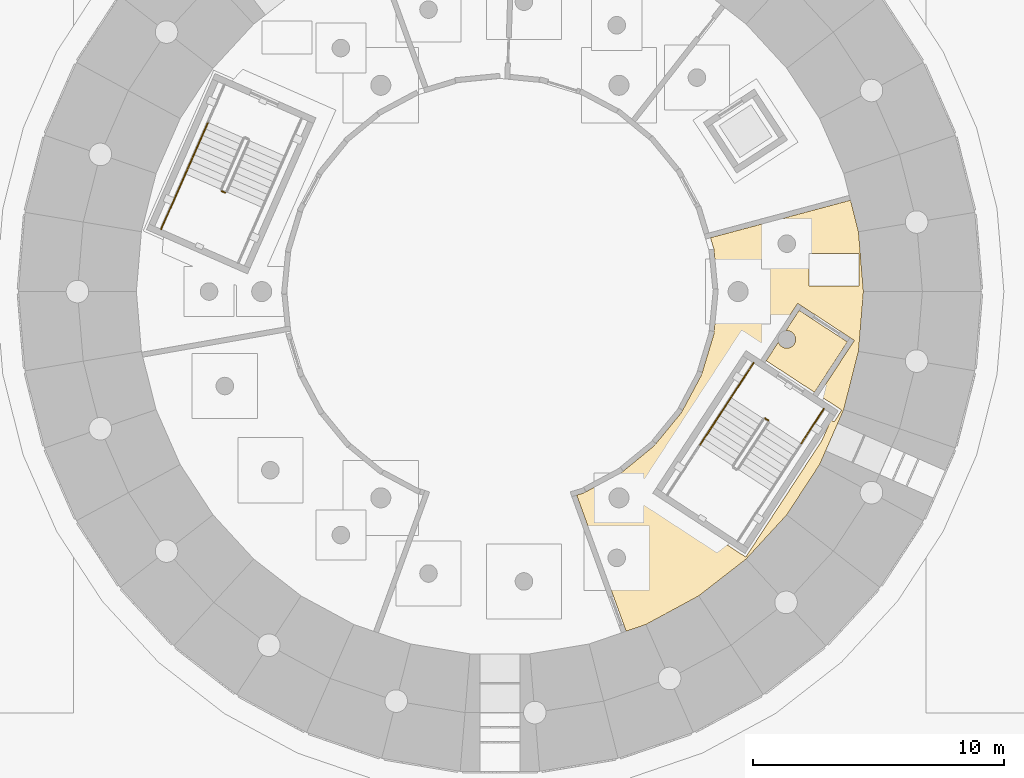
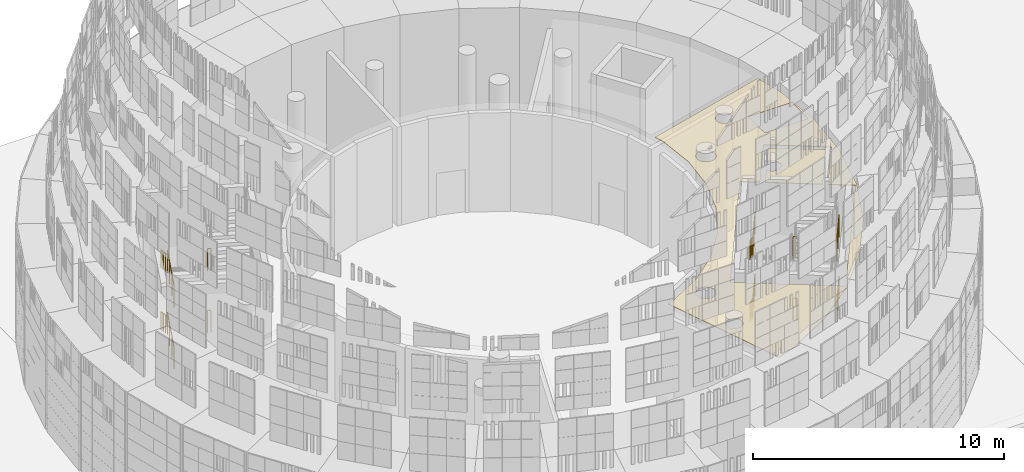
# One storey, part 120 of 125: 14 railings, 2 coverings.
"""IFC4 building model written with IfcOpenShell, lengths in metres."""

from ifc_helpers import new_model, si_unit, direction, frame, origin, origin_2d, place, context, subcontext, project, spatial, polyline, circle, outline, extrude, material, layer, layer_set, type_object, element, save


model = new_model("IFC4")

# Units and contexts
model_context = context("Model", 3, precision=1e-05, world=origin(), true_north=direction((0.0, 1.0)))
body_context = subcontext(model_context, "Body", "Model", "MODEL_VIEW")
ifc_project = project(units=[si_unit("LENGTHUNIT", "METRE"), si_unit("AREAUNIT", "SQUARE_METRE"), si_unit("VOLUMEUNIT", "CUBIC_METRE"), si_unit("PLANEANGLEUNIT", "RADIAN"), si_unit("MASSUNIT", "GRAM", prefix="KILO")], contexts=[model_context])

# Site, building, storey
site_placement = place(None, origin())
site = spatial("IfcSite", under=ifc_project, at=site_placement, CompositionType="ELEMENT")
building_placement = place(site_placement, origin())
building = spatial("IfcBuilding", under=site, at=building_placement, Name="Sun Court Science Centre", CompositionType="ELEMENT")
storey_placement = place(building_placement, origin())
storey = spatial("IfcBuildingStorey", under=building, at=storey_placement, Name="L00", CompositionType="ELEMENT", Elevation=0.0)

# Coverings
ifc_material_1 = material(Name="Perforated steel", Category="steel")
ifc_layer_1 = layer(ifc_material_1, 0.030029296875)
ifc_layer_set_1 = layer_set([ifc_layer_1], Name="Perforated steel")
covering_type_1 = type_object("IfcCoveringType", Name="Ceiling acoustic perforated", PredefinedType="CEILING", material=ifc_layer_set_1)
covering_1_placement = place(storey_placement, frame((0.0, 0.0, 5.27001953125)))
element("IfcCovering", 1, at=covering_1_placement, inside=storey, type_object=covering_type_1, Name="L00-083 ceiling", PredefinedType="CEILING", context=body_context, shape_type="SweptSolid", body=[
    extrude(outline(polyline([(60.8193359375, 86.13330078125), (58.9296875, 84.66259765625), (56.823974609375, 83.52294921875), (56.037109375, 83.252685546875), (54.061767578125, 88.680419921875), (54.32958984375, 88.76171875), (55.833740234375, 89.56591796875), (57.152099609375, 90.647705078125), (58.234130859375, 91.96630859375), (59.0380859375, 93.470458984375), (59.533203125, 95.1025390625), (59.700439453125, 96.800048828125), (59.533203125, 98.497314453125), (59.397216796875, 98.946533203125), (64.982421875, 100.443115234375), (65.300537109375, 99.186279296875), (65.498291015625, 96.800048828125), (65.300537109375, 94.413818359375), (64.712646484375, 92.09228515625), (63.7509765625, 89.899658203125), (62.441162109375, 87.89501953125), (60.8193359375, 86.13330078125)]), holes=[polyline([(63.33154296875, 98.3203125), (63.33154296875, 97.020263671875), (65.33154296875, 97.020263671875), (65.33154296875, 98.3203125), (63.33154296875, 98.3203125)]), polyline([(62.87548828125, 96.327880859375), (61.453369140625, 94.151123046875), (60.78369140625, 94.5888671875), (56.955078125, 88.728515625), (60.805908203125, 86.212646484375), (63.84912109375, 90.87060546875), (64.197998046875, 91.666015625), (64.330810546875, 91.607666015625), (64.634521484375, 92.07275390625), (63.7138671875, 92.674560546875), (65.1357421875, 94.85107421875), (62.87548828125, 96.327880859375)]), polyline([(62.791748046875, 98.709228515625), (62.791015625, 98.732177734375), (62.788818359375, 98.7548828125), (62.78515625, 98.777587890625), (62.77978515625, 98.7998046875), (62.773193359375, 98.82177734375), (62.76513671875, 98.84326171875), (62.755615234375, 98.864013671875), (62.744873046875, 98.88427734375), (62.73291015625, 98.90380859375), (62.719482421875, 98.92236328125), (62.704833984375, 98.940185546875), (62.689208984375, 98.956787109375), (62.672607421875, 98.972412109375), (62.65478515625, 98.987060546875), (62.63623046875, 99.000244140625), (62.61669921875, 99.012451171875), (62.5966796875, 99.023193359375), (62.57568359375, 99.03271484375), (62.55419921875, 99.040771484375), (62.532470703125, 99.04736328125), (62.510009765625, 99.052490234375), (62.487548828125, 99.056396484375), (62.464599609375, 99.05859375), (62.44189453125, 99.059326171875), (62.4189453125, 99.05859375), (62.39599609375, 99.056396484375), (62.37353515625, 99.052490234375), (62.351318359375, 99.04736328125), (62.329345703125, 99.040771484375), (62.307861328125, 99.03271484375), (62.287109375, 99.023193359375), (62.266845703125, 99.012451171875), (62.247314453125, 99.000244140625), (62.228759765625, 98.987060546875), (62.2109375, 98.972412109375), (62.1943359375, 98.956787109375), (62.1787109375, 98.940185546875), (62.1640625, 98.92236328125), (62.15087890625, 98.90380859375), (62.138671875, 98.88427734375), (62.1279296875, 98.864013671875), (62.118408203125, 98.84326171875), (62.1103515625, 98.82177734375), (62.103759765625, 98.7998046875), (62.098388671875, 98.777587890625), (62.0947265625, 98.7548828125), (62.092529296875, 98.732177734375), (62.091796875, 98.709228515625), (62.092529296875, 98.686279296875), (62.0947265625, 98.66357421875), (62.098388671875, 98.64111328125), (62.103759765625, 98.61865234375), (62.1103515625, 98.5966796875), (62.118408203125, 98.575439453125), (62.1279296875, 98.554443359375), (62.138671875, 98.5341796875), (62.15087890625, 98.514892578125), (62.1640625, 98.49609375), (62.1787109375, 98.478515625), (62.1943359375, 98.4619140625), (62.2109375, 98.4462890625), (62.228759765625, 98.431640625), (62.247314453125, 98.418212890625), (62.266845703125, 98.40625), (62.287109375, 98.3955078125), (62.307861328125, 98.385986328125), (62.329345703125, 98.3779296875), (62.351318359375, 98.37109375), (62.37353515625, 98.365966796875), (62.39599609375, 98.3623046875), (62.4189453125, 98.360107421875), (62.44189453125, 98.359375), (62.464599609375, 98.360107421875), (62.487548828125, 98.3623046875), (62.510009765625, 98.365966796875), (62.532470703125, 98.37109375), (62.55419921875, 98.3779296875), (62.57568359375, 98.385986328125), (62.5966796875, 98.3955078125), (62.61669921875, 98.40625), (62.63623046875, 98.418212890625), (62.65478515625, 98.431640625), (62.672607421875, 98.4462890625), (62.689208984375, 98.4619140625), (62.704833984375, 98.478515625), (62.719482421875, 98.49609375), (62.73291015625, 98.514892578125), (62.744873046875, 98.5341796875), (62.755615234375, 98.554443359375), (62.76513671875, 98.575439453125), (62.773193359375, 98.5966796875), (62.77978515625, 98.61865234375), (62.78515625, 98.64111328125), (62.788818359375, 98.66357421875), (62.791015625, 98.686279296875), (62.791748046875, 98.709228515625)]), polyline([(60.896484375, 96.747802734375), (60.899169921875, 96.773681640625), (60.89990234375, 96.800048828125), (60.899169921875, 96.826171875), (60.896484375, 96.852294921875), (60.892333984375, 96.8779296875), (60.886474609375, 96.903564453125), (60.87890625, 96.9287109375), (60.86962890625, 96.953125), (60.858642578125, 96.976806640625), (60.846435546875, 97.0), (60.83251953125, 97.022216796875), (60.8173828125, 97.04345703125), (60.80078125, 97.063720703125), (60.78271484375, 97.082763671875), (60.763671875, 97.1005859375), (60.743408203125, 97.1171875), (60.72216796875, 97.132568359375), (60.699951171875, 97.146484375), (60.677001953125, 97.15869140625), (60.653076171875, 97.169677734375), (60.628662109375, 97.1787109375), (60.603515625, 97.186279296875), (60.577880859375, 97.1923828125), (60.55224609375, 97.196533203125), (60.526123046875, 97.19921875), (60.5, 97.199951171875), (60.473876953125, 97.19921875), (60.44775390625, 97.196533203125), (60.422119140625, 97.1923828125), (60.396484375, 97.186279296875), (60.371337890625, 97.1787109375), (60.346923828125, 97.169677734375), (60.322998046875, 97.15869140625), (60.300048828125, 97.146484375), (60.27783203125, 97.132568359375), (60.256591796875, 97.1171875), (60.236328125, 97.1005859375), (60.21728515625, 97.082763671875), (60.19921875, 97.063720703125), (60.1826171875, 97.04345703125), (60.16748046875, 97.022216796875), (60.153564453125, 97.0), (60.141357421875, 96.976806640625), (60.13037109375, 96.953125), (60.12109375, 96.9287109375), (60.113525390625, 96.903564453125), (60.107666015625, 96.8779296875), (60.103515625, 96.852294921875), (60.100830078125, 96.826171875), (60.10009765625, 96.800048828125), (60.100830078125, 96.773681640625), (60.103515625, 96.747802734375), (60.107666015625, 96.721923828125), (60.113525390625, 96.696533203125), (60.12109375, 96.67138671875), (60.13037109375, 96.64697265625), (60.141357421875, 96.623046875), (60.153564453125, 96.60009765625), (60.16748046875, 96.577880859375), (60.1826171875, 96.556396484375), (60.19921875, 96.536376953125), (60.21728515625, 96.51708984375), (60.236328125, 96.499267578125), (60.256591796875, 96.482666015625), (60.27783203125, 96.46728515625), (60.300048828125, 96.45361328125), (60.322998046875, 96.44140625), (60.346923828125, 96.430419921875), (60.371337890625, 96.421142578125), (60.396484375, 96.41357421875), (60.422119140625, 96.40771484375), (60.44775390625, 96.4033203125), (60.473876953125, 96.40087890625), (60.5, 96.39990234375), (60.526123046875, 96.40087890625), (60.55224609375, 96.4033203125), (60.577880859375, 96.40771484375), (60.603515625, 96.41357421875), (60.628662109375, 96.421142578125), (60.653076171875, 96.430419921875), (60.677001953125, 96.44140625), (60.699951171875, 96.45361328125), (60.72216796875, 96.46728515625), (60.743408203125, 96.482666015625), (60.763671875, 96.499267578125), (60.78271484375, 96.51708984375), (60.80078125, 96.536376953125), (60.8173828125, 96.556396484375), (60.83251953125, 96.577880859375), (60.846435546875, 96.60009765625), (60.858642578125, 96.623046875), (60.86962890625, 96.64697265625), (60.87890625, 96.67138671875), (60.886474609375, 96.696533203125), (60.892333984375, 96.721923828125), (60.896484375, 96.747802734375)]), polyline([(56.146484375, 88.5205078125), (56.149169921875, 88.546630859375), (56.14990234375, 88.57275390625), (56.149169921875, 88.598876953125), (56.146484375, 88.625), (56.142333984375, 88.65087890625), (56.136474609375, 88.67626953125), (56.12890625, 88.701416015625), (56.11962890625, 88.725830078125), (56.108642578125, 88.749755859375), (56.096435546875, 88.772705078125), (56.08251953125, 88.794921875), (56.0673828125, 88.81640625), (56.05078125, 88.83642578125), (56.03271484375, 88.855712890625), (56.013671875, 88.87353515625), (55.993408203125, 88.89013671875), (55.97216796875, 88.9052734375), (55.949951171875, 88.919189453125), (55.927001953125, 88.931396484375), (55.903076171875, 88.9423828125), (55.878662109375, 88.951416015625), (55.853515625, 88.958984375), (55.827880859375, 88.965087890625), (55.80224609375, 88.96923828125), (55.776123046875, 88.971923828125), (55.75, 88.972900390625), (55.723876953125, 88.971923828125), (55.69775390625, 88.96923828125), (55.672119140625, 88.965087890625), (55.646484375, 88.958984375), (55.621337890625, 88.951416015625), (55.596923828125, 88.9423828125), (55.572998046875, 88.931396484375), (55.550048828125, 88.919189453125), (55.52783203125, 88.9052734375), (55.506591796875, 88.89013671875), (55.486328125, 88.87353515625), (55.46728515625, 88.855712890625), (55.44921875, 88.83642578125), (55.4326171875, 88.81640625), (55.41748046875, 88.794921875), (55.403564453125, 88.772705078125), (55.391357421875, 88.749755859375), (55.38037109375, 88.725830078125), (55.37109375, 88.701416015625), (55.363525390625, 88.67626953125), (55.357666015625, 88.65087890625), (55.353515625, 88.625), (55.350830078125, 88.598876953125), (55.35009765625, 88.57275390625), (55.350830078125, 88.546630859375), (55.353515625, 88.5205078125), (55.357666015625, 88.49462890625), (55.363525390625, 88.46923828125), (55.37109375, 88.444091796875), (55.38037109375, 88.419677734375), (55.391357421875, 88.395751953125), (55.403564453125, 88.372802734375), (55.41748046875, 88.3505859375), (55.4326171875, 88.329345703125), (55.44921875, 88.30908203125), (55.46728515625, 88.289794921875), (55.486328125, 88.27197265625), (55.506591796875, 88.25537109375), (55.52783203125, 88.240234375), (55.550048828125, 88.226318359375), (55.572998046875, 88.214111328125), (55.596923828125, 88.203125), (55.621337890625, 88.194091796875), (55.646484375, 88.186279296875), (55.672119140625, 88.180419921875), (55.69775390625, 88.17626953125), (55.723876953125, 88.173583984375), (55.75, 88.1728515625), (55.776123046875, 88.173583984375), (55.80224609375, 88.17626953125), (55.827880859375, 88.180419921875), (55.853515625, 88.186279296875), (55.878662109375, 88.194091796875), (55.903076171875, 88.203125), (55.927001953125, 88.214111328125), (55.949951171875, 88.226318359375), (55.97216796875, 88.240234375), (55.993408203125, 88.25537109375), (56.013671875, 88.27197265625), (56.03271484375, 88.289794921875), (56.05078125, 88.30908203125), (56.0673828125, 88.329345703125), (56.08251953125, 88.3505859375), (56.096435546875, 88.372802734375), (56.108642578125, 88.395751953125), (56.11962890625, 88.419677734375), (56.12890625, 88.444091796875), (56.136474609375, 88.46923828125), (56.142333984375, 88.49462890625), (56.146484375, 88.5205078125)]), polyline([(55.997802734375, 86.08642578125), (56.0029296875, 86.108642578125), (56.006591796875, 86.13134765625), (56.0087890625, 86.154052734375), (56.009765625, 86.177001953125), (56.0087890625, 86.199951171875), (56.006591796875, 86.22265625), (56.0029296875, 86.245361328125), (55.997802734375, 86.267578125), (55.9912109375, 86.28955078125), (55.98291015625, 86.31103515625), (55.9736328125, 86.331787109375), (55.962890625, 86.35205078125), (55.95068359375, 86.37158203125), (55.937255859375, 86.39013671875), (55.9228515625, 86.40771484375), (55.9072265625, 86.424560546875), (55.890380859375, 86.440185546875), (55.872802734375, 86.45458984375), (55.85400390625, 86.468017578125), (55.834716796875, 86.47998046875), (55.814453125, 86.490966796875), (55.793701171875, 86.50048828125), (55.772216796875, 86.508544921875), (55.750244140625, 86.51513671875), (55.727783203125, 86.520263671875), (55.705322265625, 86.52392578125), (55.6826171875, 86.5263671875), (55.65966796875, 86.527099609375), (55.63671875, 86.5263671875), (55.614013671875, 86.52392578125), (55.59130859375, 86.520263671875), (55.569091796875, 86.51513671875), (55.547119140625, 86.508544921875), (55.525634765625, 86.50048828125), (55.5048828125, 86.490966796875), (55.484619140625, 86.47998046875), (55.465087890625, 86.468017578125), (55.446533203125, 86.45458984375), (55.428955078125, 86.440185546875), (55.412109375, 86.424560546875), (55.396484375, 86.40771484375), (55.382080078125, 86.39013671875), (55.36865234375, 86.37158203125), (55.356689453125, 86.35205078125), (55.345703125, 86.331787109375), (55.336181640625, 86.31103515625), (55.328125, 86.28955078125), (55.321533203125, 86.267578125), (55.31640625, 86.245361328125), (55.312744140625, 86.22265625), (55.310302734375, 86.199951171875), (55.309814453125, 86.177001953125), (55.310302734375, 86.154052734375), (55.312744140625, 86.13134765625), (55.31640625, 86.108642578125), (55.321533203125, 86.08642578125), (55.328125, 86.064453125), (55.336181640625, 86.043212890625), (55.345703125, 86.022216796875), (55.356689453125, 86.001953125), (55.36865234375, 85.982666015625), (55.382080078125, 85.964111328125), (55.396484375, 85.9462890625), (55.412109375, 85.929443359375), (55.428955078125, 85.913818359375), (55.446533203125, 85.8994140625), (55.465087890625, 85.885986328125), (55.484619140625, 85.873779296875), (55.5048828125, 85.863037109375), (55.525634765625, 85.853759765625), (55.547119140625, 85.845703125), (55.569091796875, 85.839111328125), (55.59130859375, 85.833740234375), (55.614013671875, 85.830078125), (55.63671875, 85.827880859375), (55.65966796875, 85.826904296875), (55.6826171875, 85.827880859375), (55.705322265625, 85.830078125), (55.727783203125, 85.833740234375), (55.750244140625, 85.839111328125), (55.772216796875, 85.845703125), (55.793701171875, 85.853759765625), (55.814453125, 85.863037109375), (55.834716796875, 85.873779296875), (55.85400390625, 85.885986328125), (55.872802734375, 85.8994140625), (55.890380859375, 85.913818359375), (55.9072265625, 85.929443359375), (55.9228515625, 85.9462890625), (55.937255859375, 85.964111328125), (55.95068359375, 85.982666015625), (55.962890625, 86.001953125), (55.9736328125, 86.022216796875), (55.98291015625, 86.043212890625), (55.9912109375, 86.064453125), (55.997802734375, 86.08642578125)])]), origin(), (0.0, 0.0, 1.0), 0.030029296875),
])
ifc_material_2 = material(Name="Gypsum board")
ifc_layer_2 = layer(ifc_material_2, 0.030029296875)
ifc_layer_set_2 = layer_set([ifc_layer_2], Name="Gypsum board")
covering_type_2 = type_object("IfcCoveringType", Name="Ceiling suspended 600 module", PredefinedType="CEILING", material=ifc_layer_set_2)
covering_2_placement = place(storey_placement, frame((0.0, 0.0, 5.27001953125)))
element("IfcCovering", 2, at=covering_2_placement, inside=storey, type_object=covering_type_2, Name="L00-082 ceiling", PredefinedType="CEILING", context=body_context, shape_type="SweptSolid", body=[
    extrude(outline(polyline([(63.54638671875, 92.78369140625), (61.620849609375, 94.041748046875), (62.107666015625, 94.787109375), (62.118408203125, 94.7568359375), (62.1279296875, 94.73583984375), (62.138671875, 94.7158203125), (62.15087890625, 94.6962890625), (62.1640625, 94.677490234375), (62.1787109375, 94.659912109375), (62.1943359375, 94.643310546875), (62.2109375, 94.627685546875), (62.228759765625, 94.613037109375), (62.247314453125, 94.599609375), (62.266845703125, 94.587646484375), (62.287109375, 94.576904296875), (62.307861328125, 94.5673828125), (62.329345703125, 94.559326171875), (62.351318359375, 94.552490234375), (62.37353515625, 94.54736328125), (62.39599609375, 94.543701171875), (62.4189453125, 94.54150390625), (62.44189453125, 94.540771484375), (62.464599609375, 94.54150390625), (62.487548828125, 94.543701171875), (62.510009765625, 94.54736328125), (62.532470703125, 94.552490234375), (62.55419921875, 94.559326171875), (62.57568359375, 94.5673828125), (62.5966796875, 94.576904296875), (62.61669921875, 94.587646484375), (62.63623046875, 94.599609375), (62.65478515625, 94.613037109375), (62.672607421875, 94.627685546875), (62.689208984375, 94.643310546875), (62.704833984375, 94.659912109375), (62.719482421875, 94.677490234375), (62.73291015625, 94.6962890625), (62.744873046875, 94.7158203125), (62.755615234375, 94.73583984375), (62.76513671875, 94.7568359375), (62.773193359375, 94.7783203125), (62.77978515625, 94.800048828125), (62.78515625, 94.822509765625), (62.788818359375, 94.844970703125), (62.791015625, 94.867919921875), (62.791748046875, 94.890625), (62.791015625, 94.91357421875), (62.788818359375, 94.936279296875), (62.78515625, 94.958984375), (62.77978515625, 94.981201171875), (62.773193359375, 95.003173828125), (62.76513671875, 95.024658203125), (62.755615234375, 95.04541015625), (62.744873046875, 95.065673828125), (62.73291015625, 95.085205078125), (62.719482421875, 95.103759765625), (62.704833984375, 95.12158203125), (62.689208984375, 95.13818359375), (62.672607421875, 95.15380859375), (62.65478515625, 95.16845703125), (62.63623046875, 95.181640625), (62.61669921875, 95.19384765625), (62.5966796875, 95.20458984375), (62.57568359375, 95.214111328125), (62.55419921875, 95.22216796875), (62.532470703125, 95.228759765625), (62.510009765625, 95.23388671875), (62.487548828125, 95.23779296875), (62.464599609375, 95.239990234375), (62.44189453125, 95.24072265625), (62.4189453125, 95.239990234375), (62.402587890625, 95.23828125), (62.93359375, 96.051025390625), (64.85888671875, 94.79296875), (63.54638671875, 92.78369140625)])), origin(), (0.0, 0.0, 1.0), 0.030029296875),
])

# Railings
ifc_material_3 = material(Name="Steel S275", Category="steel")
railing_type_1 = type_object("IfcRailingType", Name="Guard 1100 steel balustrade", PredefinedType="GUARDRAIL", material=ifc_material_3)
railing_1_placement = place(storey_placement, frame((61.580810546875, 91.740966796875, 3.0)))
element("IfcRailing", 3, at=railing_1_placement, inside=storey, type_object=railing_type_1, Name="L00 PS1 stair guard 6", PredefinedType="GUARDRAIL", context=body_context, shape_type="SweptSolid", body=[
    extrude(circle(Radius=0.02392578125, at=origin_2d()), frame((0.0, 0.0, 1.076171875), z_axis=(0.837513526863, -0.546416592283, 0.0), x_axis=(0.546416592283, 0.837513526863, 0.0)), (0.0, 0.0, 1.0), 0.150146484375),
    extrude(circle(Radius=0.02099609375, at=origin_2d()), origin(), (0.0, 0.0, 1.0), 1.052001953125),
    extrude(circle(Radius=0.02099609375, at=origin_2d()), frame((0.125732421875, -0.08203125, 0.0)), (0.0, 0.0, 1.0), 1.052001953125),
])
for number, where, name in (
    (4, (61.1171875, 93.952880859375, 3.0), "L00 PS1 stair guard 7"),
    (5, (63.918212890625, 92.122802734375, 3.0), "L00 PS1 stair guard 8"),
):
    element("IfcRailing", number, at=place(storey_placement, frame(where)), inside=storey, type_object=railing_type_1, Name=name, PredefinedType="GUARDRAIL", context=body_context, shape_type="SweptSolid", body=[
        extrude(circle(Radius=0.02392578125, at=origin_2d()), frame((0.0, 0.0, 1.076171875), z_axis=(-0.546949968366, -0.837165295568, 0.0), x_axis=(0.837165295568, -0.546949968366, 0.0)), (0.0, 0.0, 1.0), 1.64794921875),
        extrude(circle(Radius=0.02099609375, at=origin_2d()), origin(), (0.0, 0.0, 1.0), 1.052001953125),
        extrude(circle(Radius=0.02099609375, at=origin_2d()), frame((-0.45068359375, -0.68994140625, 0.0)), (0.0, 0.0, 1.0), 1.052001953125),
        extrude(circle(Radius=0.02099609375, at=origin_2d()), frame((-0.9013671875, -1.379638671875, 0.0)), (0.0, 0.0, 1.0), 1.052001953125),
    ])
railing_2_placement = place(storey_placement, frame((61.580810546875, 91.740966796875, 0.0)))
element("IfcRailing", 6, at=railing_2_placement, inside=storey, type_object=railing_type_1, Name="L00 PS1 stair guard 14", PredefinedType="GUARDRAIL", context=body_context, shape_type="SweptSolid", body=[
    extrude(circle(Radius=0.02392578125, at=origin_2d()), frame((0.0, 0.0, 1.076171875), z_axis=(0.837513526863, -0.546416592283, 0.0), x_axis=(0.546416592283, 0.837513526863, 0.0)), (0.0, 0.0, 1.0), 0.150146484375),
    extrude(circle(Radius=0.02099609375, at=origin_2d()), origin(), (0.0, 0.0, 1.0), 1.052001953125),
    extrude(circle(Radius=0.02099609375, at=origin_2d()), frame((0.125732421875, -0.08203125, 0.0)), (0.0, 0.0, 1.0), 1.052001953125),
])
for number, where, name in (
    (7, (61.1171875, 93.952880859375, 0.0), "L00 PS1 stair guard 15"),
    (8, (63.918212890625, 92.122802734375, 0.0), "L00 PS1 stair guard 16"),
):
    element("IfcRailing", number, at=place(storey_placement, frame(where)), inside=storey, type_object=railing_type_1, Name=name, PredefinedType="GUARDRAIL", context=body_context, shape_type="SweptSolid", body=[
        extrude(circle(Radius=0.02392578125, at=origin_2d()), frame((0.0, 0.0, 1.076171875), z_axis=(-0.546949968366, -0.837165295568, 0.0), x_axis=(0.837165295568, -0.546949968366, 0.0)), (0.0, 0.0, 1.0), 1.64794921875),
        extrude(circle(Radius=0.02099609375, at=origin_2d()), origin(), (0.0, 0.0, 1.0), 1.052001953125),
        extrude(circle(Radius=0.02099609375, at=origin_2d()), frame((-0.45068359375, -0.68994140625, 0.0)), (0.0, 0.0, 1.0), 1.052001953125),
        extrude(circle(Radius=0.02099609375, at=origin_2d()), frame((-0.9013671875, -1.379638671875, 0.0)), (0.0, 0.0, 1.0), 1.052001953125),
    ])
railing_3_placement = place(storey_placement, frame((39.900146484375, 100.808349609375, 1.5)))
element("IfcRailing", 9, at=railing_3_placement, inside=storey, type_object=railing_type_1, Name="L00 PS2 stair guard 2", PredefinedType="GUARDRAIL", context=body_context, shape_type="SweptSolid", body=[
    extrude(circle(Radius=0.02392578125, at=origin_2d()), frame((0.0, 0.0, 1.076171875), z_axis=(0.915746217537, -0.401757221548, 0.0), x_axis=(0.401757221548, 0.915746217537, 0.0)), (0.0, 0.0, 1.0), 0.150146484375),
    extrude(circle(Radius=0.02099609375, at=origin_2d()), origin(), (0.0, 0.0, 1.0), 1.052001953125),
    extrude(circle(Radius=0.02099609375, at=origin_2d()), frame((0.137451171875, -0.060302734375, 0.0)), (0.0, 0.0, 1.0), 1.052001953125),
])
railing_4_placement = place(storey_placement, frame((38.45703125, 101.49609375, 1.5)))
element("IfcRailing", 10, at=railing_4_placement, inside=storey, type_object=railing_type_1, Name="L00 PS2 stair guard 3", PredefinedType="GUARDRAIL", context=body_context, shape_type="SweptSolid", body=[
    extrude(circle(Radius=0.02392578125, at=origin_2d()), frame((0.0, 0.0, 1.076171875), z_axis=(-0.401710637478, -0.915766653541, 0.0), x_axis=(0.915766653541, -0.401710637478, 0.0)), (0.0, 0.0, 1.0), 2.412109375),
    extrude(circle(Radius=0.02099609375, at=origin_2d()), origin(), (0.0, 0.0, 1.0), 1.052001953125),
    extrude(circle(Radius=0.02099609375, at=origin_2d()), frame((-0.322998046875, -0.736328125, 0.0)), (0.0, 0.0, 1.0), 1.052001953125),
    extrude(circle(Radius=0.02099609375, at=origin_2d()), frame((-0.64599609375, -1.47265625, 0.0)), (0.0, 0.0, 1.0), 1.052001953125),
    extrude(circle(Radius=0.02099609375, at=origin_2d()), frame((-0.968994140625, -2.208984375, 0.0)), (0.0, 0.0, 1.0), 1.052001953125),
])
railing_5_placement = place(storey_placement, frame((39.900146484375, 100.808349609375, 4.5)))
element("IfcRailing", 11, at=railing_5_placement, inside=storey, type_object=railing_type_1, Name="L00 PS2 stair guard 10", PredefinedType="GUARDRAIL", context=body_context, shape_type="SweptSolid", body=[
    extrude(circle(Radius=0.02392578125, at=origin_2d()), frame((0.0, 0.0, 1.076171875), z_axis=(0.915746217537, -0.401757221548, 0.0), x_axis=(0.401757221548, 0.915746217537, 0.0)), (0.0, 0.0, 1.0), 0.150146484375),
    extrude(circle(Radius=0.02099609375, at=origin_2d()), origin(), (0.0, 0.0, 1.0), 1.052001953125),
    extrude(circle(Radius=0.02099609375, at=origin_2d()), frame((0.137451171875, -0.060302734375, 0.0)), (0.0, 0.0, 1.0), 1.052001953125),
])
railing_6_placement = place(storey_placement, frame((38.45703125, 101.49609375, 4.5)))
element("IfcRailing", 12, at=railing_6_placement, inside=storey, type_object=railing_type_1, Name="L00 PS2 stair guard 11", PredefinedType="GUARDRAIL", context=body_context, shape_type="SweptSolid", body=[
    extrude(circle(Radius=0.02392578125, at=origin_2d()), frame((0.0, 0.0, 1.076171875), z_axis=(-0.401710637478, -0.915766653541, 0.0), x_axis=(0.915766653541, -0.401710637478, 0.0)), (0.0, 0.0, 1.0), 2.412109375),
    extrude(circle(Radius=0.02099609375, at=origin_2d()), origin(), (0.0, 0.0, 1.0), 1.052001953125),
    extrude(circle(Radius=0.02099609375, at=origin_2d()), frame((-0.322998046875, -0.736328125, 0.0)), (0.0, 0.0, 1.0), 1.052001953125),
    extrude(circle(Radius=0.02099609375, at=origin_2d()), frame((-0.64599609375, -1.47265625, 0.0)), (0.0, 0.0, 1.0), 1.052001953125),
    extrude(circle(Radius=0.02099609375, at=origin_2d()), frame((-0.968994140625, -2.208984375, 0.0)), (0.0, 0.0, 1.0), 1.052001953125),
])
ifc_material_4 = material(Name="Stainless steel", Category="steel")
railing_type_2 = type_object("IfcRailingType", Name="Handrail 900 stainless", PredefinedType="HANDRAIL", material=ifc_material_4)
for number, where, name in (
    (13, (60.2158203125, 92.5732421875, 0.166748046875), "L00 PS1 stair handrail 1"),
    (14, (60.2158203125, 92.5732421875, 3.166748046875), "L00 PS1 stair handrail 3"),
):
    element("IfcRailing", number, at=place(storey_placement, frame(where)), inside=storey, type_object=railing_type_2, Name=name, PredefinedType="HANDRAIL", context=body_context, shape_type="SweptSolid", body=[
        extrude(circle(Radius=0.02392578125, at=origin_2d()), frame((0.0, 0.0, 0.8759765625), z_axis=(-0.469977511103, -0.719389649816, 0.511468152278), x_axis=(0.837178842817, -0.546929232295, 0.0)), (0.0, 0.0, 1.0), 2.606689453125),
        extrude(circle(Radius=0.02099609375, at=origin_2d()), origin(), (0.0, 0.0, 1.0), 0.851806640625),
        extrude(circle(Radius=0.02099609375, at=origin_2d()), frame((-0.408447265625, -0.625, 0.4443359375)), (0.0, 0.0, 1.0), 0.851806640625),
        extrude(circle(Radius=0.02099609375, at=origin_2d()), frame((-0.816650390625, -1.250244140625, 0.888916015625)), (0.0, 0.0, 1.0), 0.851806640625),
        extrude(circle(Radius=0.02099609375, at=origin_2d()), frame((-1.22509765625, -1.875244140625, 1.333251953125)), (0.0, 0.0, 1.0), 0.851806640625),
    ])
for number, where, name in (
    (15, (39.356689453125, 103.54736328125, 0.166748046875), "L00 PS2 stair handrail 1"),
    (16, (39.356689453125, 103.54736328125, 3.166748046875), "L00 PS2 stair handrail 3"),
):
    element("IfcRailing", number, at=place(storey_placement, frame(where)), inside=storey, type_object=railing_type_2, Name=name, PredefinedType="HANDRAIL", context=body_context, shape_type="SweptSolid", body=[
        extrude(circle(Radius=0.02392578125, at=origin_2d()), frame((0.0, 0.0, 0.8759765625), z_axis=(-0.345138910657, -0.786935448396, 0.51147994331), x_axis=(0.915791725695, -0.401653476456, 0.0)), (0.0, 0.0, 1.0), 2.606689453125),
        extrude(circle(Radius=0.02099609375, at=origin_2d()), origin(), (0.0, 0.0, 1.0), 0.851806640625),
        extrude(circle(Radius=0.02099609375, at=origin_2d()), frame((-0.2998046875, -0.683837890625, 0.4443359375)), (0.0, 0.0, 1.0), 0.851806640625),
        extrude(circle(Radius=0.02099609375, at=origin_2d()), frame((-0.599853515625, -1.367431640625, 0.888916015625)), (0.0, 0.0, 1.0), 0.851806640625),
        extrude(circle(Radius=0.02099609375, at=origin_2d()), frame((-0.899658203125, -2.05126953125, 1.333251953125)), (0.0, 0.0, 1.0), 0.851806640625),
    ])

save(model, "model.ifc")
